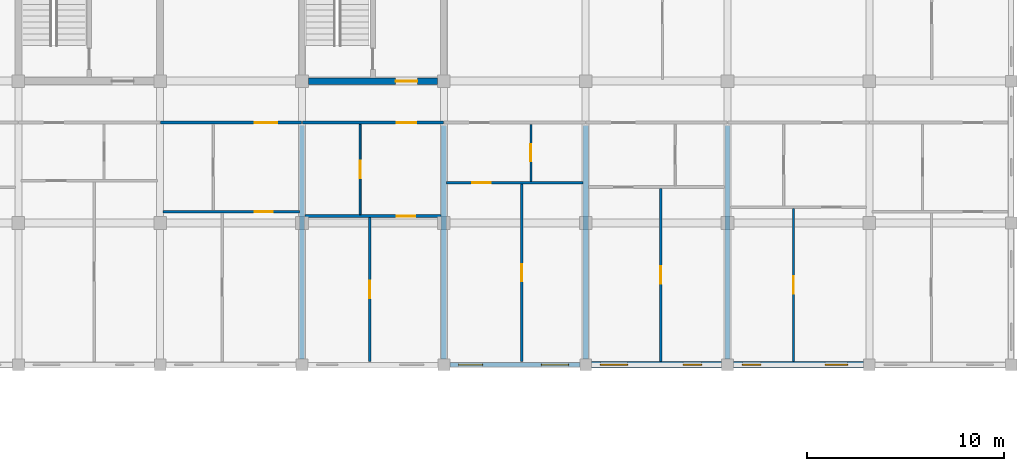
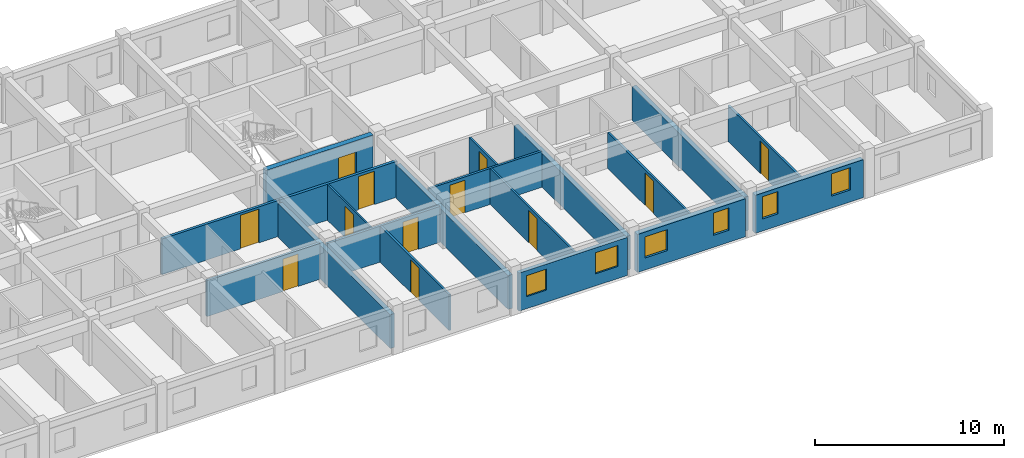
# One storey, part 36 of 50: 19 walls, 12 doors, 6 windows, 18 openings.
"""IFC4 building model written with IfcOpenShell, lengths in metres."""

from ifc_helpers import new_model, si_unit, direction, frame, frame_2d, origin, place, context, subcontext, project, spatial, rectangle, extrude, material, layer, layer_set, type_object, element, fill, save


model = new_model("IFC4")

# Units and contexts
model_context = context("Model", 3, precision=1e-05, world=origin(), true_north=direction((0.0, 1.0)))
body_context = subcontext(model_context, "Body", "Model", "MODEL_VIEW")
ifc_project = project(units=[si_unit("LENGTHUNIT", "METRE"), si_unit("AREAUNIT", "SQUARE_METRE"), si_unit("VOLUMEUNIT", "CUBIC_METRE"), si_unit("PLANEANGLEUNIT", "RADIAN"), si_unit("MASSUNIT", "GRAM", prefix="KILO"), si_unit("THERMODYNAMICTEMPERATUREUNIT", "KELVIN"), si_unit("POWERUNIT", "WATT")], contexts=[model_context])

# Site, building, storey
site_placement = place(None, origin())
site = spatial("IfcSite", under=ifc_project, at=site_placement, CompositionType="ELEMENT")
building_placement = place(site_placement, origin())
building = spatial("IfcBuilding", under=site, at=building_placement, Name="Tavuni Mirador Residences", CompositionType="ELEMENT")
storey_placement = place(building_placement, frame((0.0, 0.0, 4.5)))
storey = spatial("IfcBuildingStorey", under=building, at=storey_placement, Name="L01", CompositionType="ELEMENT", Elevation=4.5)

# Wall, opening, door
ifc_material_1 = material(Name="Precast concrete C40/50", Category="concrete")
ifc_layer_1 = layer(ifc_material_1, 0.320068359375, Name="Precast concrete C40/50", Category="concrete")
ifc_layer_set_1 = layer_set([ifc_layer_1], Name="Precast concrete C40/50")
wall_type_1 = type_object("IfcWallType", Name="WT-COR320", PredefinedType="SHEAR", material=ifc_layer_set_1)
wall_1_placement = place(storey_placement, frame((39.925048828125, 158.39990234375, 0.0), z_axis=(0.0, 0.0, 1.0), x_axis=(1.0, 0.0, 0.0)))
wall_1 = element("IfcWall", 1, at=wall_1_placement, inside=storey, type_object=wall_type_1, Name="CWALL-C6-L01-SS", PredefinedType="SHEAR", context=body_context, shape_type="SweptSolid", body=[
    extrude(rectangle(XDim=6.550048828125, YDim=0.320068359375, at=frame_2d((3.27490234375, 0.0))), origin(), (0.0, 0.0, 1.0), 2.885009765625),
])
opening_1_placement = place(wall_1_placement, frame((4.425048828125, 0.0, 0.0)))
opening_1 = element("IfcOpeningElement", 2, at=opening_1_placement, cuts=wall_1, Name="Opening D-02", PredefinedType="OPENING", context=body_context, shape_type="SweptSolid", body=[
    extrude(rectangle(XDim=1.10009765625, YDim=2.14990234375, at=frame_2d((0.550048828125, 1.074951171875))), frame((0.0, 0.169921875, 0.0), z_axis=(0.0, -1.0, 0.0), x_axis=(1.0, 0.0, 0.0)), (0.0, 0.0, 1.0), 0.340087890625),
])
ifc_material_2 = material(Name="Solid core iroko timber", Category="wood")
door_type_1 = type_object("IfcDoorType", Name="DT-LOB1100", OperationType="NOTDEFINED", PredefinedType="DOOR", material=ifc_material_2)
door_1_placement = place(opening_1_placement, frame((1.10009765625, 0.0, 0.0), z_axis=(0.0, 0.0, 1.0), x_axis=(-1.0, 0.0, 0.0)))
door_1 = element("IfcDoor", 3, at=door_1_placement, inside=storey, type_object=door_type_1, Name="DR-2222", OperationType="SINGLE_SWING_RIGHT", OverallHeight=2.14990234375, OverallWidth=1.10009765625, PredefinedType="DOOR", context=body_context, shape_type="SweptSolid", body=[
    extrude(rectangle(XDim=1.10009765625, YDim=2.14990234375, at=frame_2d((0.550048828125, 1.074951171875))), frame((0.0, 0.02490234375, 0.0), z_axis=(0.0, -1.0, 0.0), x_axis=(1.0, 0.0, 0.0)), (0.0, 0.0, 1.0), 0.050048828125),
])
fill(opening_1, door_1)

ifc_layer_2 = layer(ifc_material_1, 0.1650390625, Name="Precast concrete C40/50", Category="concrete")
ifc_layer_set_2 = layer_set([ifc_layer_2], Name="Precast concrete C40/50")
wall_type_2 = type_object("IfcWallType", Name="WT-CORR165", PredefinedType="PARTITIONING", material=ifc_layer_set_2)
wall_2_placement = place(storey_placement, frame((32.419921875, 156.300048828125, 0.0), z_axis=(0.0, 0.0, 1.0), x_axis=(1.0, 0.0, 0.0)))
wall_2 = element("IfcWall", 4, at=wall_2_placement, inside=storey, type_object=wall_type_2, Name="CORW-BLK-C-L01-0-03", PredefinedType="PARTITIONING", context=body_context, shape_type="SweptSolid", body=[
    extrude(rectangle(XDim=7.16015625, YDim=0.1650390625, at=frame_2d((3.580078125, 0.0))), origin(), (0.0, 0.0, 1.0), 2.320068359375),
])
opening_2_placement = place(wall_2_placement, frame((4.780029296875, 0.0, 0.0)))
opening_2 = element("IfcOpeningElement", 5, at=opening_2_placement, cuts=wall_2, Name="Opening D-20", PredefinedType="OPENING", context=body_context, shape_type="SweptSolid", body=[
    extrude(rectangle(XDim=1.139892578125, YDim=2.179931640625, at=frame_2d((0.56982421875, 1.08984375))), frame((0.0, 0.092529296875, 0.0), z_axis=(0.0, -1.0, 0.0), x_axis=(1.0, 0.0, 0.0)), (0.0, 0.0, 1.0), 0.18505859375),
])
door_type_2 = type_object("IfcDoorType", Name="DT-FD60-1140", OperationType="NOTDEFINED", PredefinedType="DOOR", material=ifc_material_2)
door_2_placement = place(opening_2_placement, origin())
door_2 = element("IfcDoor", 6, at=door_2_placement, inside=storey, type_object=door_type_2, Name="DR-2630", OperationType="SINGLE_SWING_LEFT", OverallHeight=2.179931640625, OverallWidth=1.139892578125, PredefinedType="DOOR", context=body_context, shape_type="SweptSolid", body=[
    extrude(rectangle(XDim=1.139892578125, YDim=2.179931640625, at=frame_2d((0.56982421875, 1.08984375))), frame((0.0, 0.02490234375, 0.0), z_axis=(0.0, -1.0, 0.0), x_axis=(1.0, 0.0, 0.0)), (0.0, 0.0, 1.0), 0.050048828125),
])
fill(opening_2, door_2)

wall_3_placement = place(storey_placement, frame((39.6201171875, 156.300048828125, 0.0), z_axis=(0.0, 0.0, 1.0), x_axis=(1.0, 0.0, 0.0)))
wall_3 = element("IfcWall", 7, at=wall_3_placement, inside=storey, type_object=wall_type_2, Name="CORW-BLK-C-L01-0-04", PredefinedType="PARTITIONING", context=body_context, shape_type="SweptSolid", body=[
    extrude(rectangle(XDim=7.159912109375, YDim=0.1650390625, at=frame_2d((3.580078125, 0.0))), origin(), (0.0, 0.0, 1.0), 2.320068359375),
])
opening_3_placement = place(wall_3_placement, frame((4.780029296875, 0.0, 0.0)))
opening_3 = element("IfcOpeningElement", 8, at=opening_3_placement, cuts=wall_3, Name="Opening D-03", PredefinedType="OPENING", context=body_context, shape_type="SweptSolid", body=[
    extrude(rectangle(XDim=1.0, YDim=2.14990234375, at=frame_2d((0.5, 1.074951171875))), frame((0.0, 0.092529296875, 0.0), z_axis=(0.0, -1.0, 0.0), x_axis=(1.0, 0.0, 0.0)), (0.0, 0.0, 1.0), 0.18505859375),
])
door_type_3 = type_object("IfcDoorType", Name="DT-FD60-1000", OperationType="NOTDEFINED", PredefinedType="DOOR", material=ifc_material_2)
door_3_placement = place(opening_3_placement, origin())
door_3 = element("IfcDoor", 9, at=door_3_placement, inside=storey, type_object=door_type_3, Name="DR-2631", OperationType="SINGLE_SWING_RIGHT", OverallHeight=2.14990234375, OverallWidth=1.0, PredefinedType="DOOR", context=body_context, shape_type="SweptSolid", body=[
    extrude(rectangle(XDim=1.0, YDim=2.14990234375, at=frame_2d((0.5, 1.074951171875))), frame((0.0, 0.02490234375, 0.0), z_axis=(0.0, -1.0, 0.0), x_axis=(1.0, 0.0, 0.0)), (0.0, 0.0, 1.0), 0.050048828125),
])
fill(opening_3, door_3)

# Wall, openings, windows
ifc_layer_3 = layer(ifc_material_1, 0.330078125, Name="Precast concrete C40/50", Category="concrete")
ifc_layer_set_3 = layer_set([ifc_layer_3], Name="Precast concrete C40/50")
wall_type_3 = type_object("IfcWallType", Name="WT-EXT-COR330", PredefinedType="SOLIDWALL", material=ifc_layer_set_3)
wall_4_placement = place(storey_placement, frame((54.300048828125, 144.0, 0.0), z_axis=(0.0, 0.0, 1.0), x_axis=(1.0, 0.0, 0.0)))
wall_4 = element("IfcWall", 10, at=wall_4_placement, inside=storey, type_object=wall_type_3, Name="EW-BLK-C-L01-S06", PredefinedType="SOLIDWALL", context=body_context, shape_type="SweptSolid", body=[
    extrude(rectangle(XDim=6.599853515625, YDim=0.330078125, at=frame_2d((3.2998046875, 0.0))), origin(), (0.0, 0.0, 1.0), 2.455078125),
])
opening_4_placement = place(wall_4_placement, frame((0.449951171875, 0.0, 0.780029296875)))
opening_4 = element("IfcOpeningElement", 11, at=opening_4_placement, cuts=wall_4, Name="Opening WN-23", PredefinedType="OPENING", context=body_context, shape_type="SweptSolid", body=[
    extrude(rectangle(XDim=1.3798828125, YDim=1.360107421875, at=frame_2d((0.68994140625, 0.68017578125))), frame((0.0, 0.175048828125, 0.0), z_axis=(0.0, -1.0, 0.0), x_axis=(1.0, 0.0, 0.0)), (0.0, 0.0, 1.0), 0.35009765625),
])
opening_5_placement = place(wall_4_placement, frame((4.64990234375, 0.0, 0.780029296875)))
opening_5 = element("IfcOpeningElement", 12, at=opening_5_placement, cuts=wall_4, Name="Opening WN-25", PredefinedType="OPENING", context=body_context, shape_type="SweptSolid", body=[
    extrude(rectangle(XDim=0.93994140625, YDim=1.43994140625, at=frame_2d((0.469970703125, 0.719970703125))), frame((0.0, 0.175048828125, 0.0), z_axis=(0.0, -1.0, 0.0), x_axis=(1.0, 0.0, 0.0)), (0.0, 0.0, 1.0), 0.35009765625),
])
ifc_material_3 = material(Name="Laminated solar-control glass", Category="glass")
window_type_1 = type_object("IfcWindowType", Name="WNT-23", PartitioningType="SINGLE_PANEL", PredefinedType="WINDOW", material=ifc_material_3)
window_1_placement = place(opening_4_placement, origin())
window_1 = element("IfcWindow", 13, at=window_1_placement, inside=storey, type_object=window_type_1, Name="WIN-0861", OverallHeight=1.360107421875, OverallWidth=1.3798828125, PartitioningType="SINGLE_PANEL", PredefinedType="WINDOW", context=body_context, shape_type="SweptSolid", body=[
    extrude(rectangle(XDim=1.3798828125, YDim=1.360107421875, at=frame_2d((0.68994140625, 0.68017578125))), frame((0.0, 0.030029296875, 0.0), z_axis=(0.0, -1.0, 0.0), x_axis=(1.0, 0.0, 0.0)), (0.0, 0.0, 1.0), 0.06005859375),
])
fill(opening_4, window_1)
window_type_2 = type_object("IfcWindowType", Name="WNT-25", PartitioningType="SINGLE_PANEL", PredefinedType="WINDOW", material=ifc_material_3)
window_2_placement = place(opening_5_placement, origin())
window_2 = element("IfcWindow", 14, at=window_2_placement, inside=storey, type_object=window_type_2, Name="WIN-0862", OverallHeight=1.43994140625, OverallWidth=0.93994140625, PartitioningType="SINGLE_PANEL", PredefinedType="WINDOW", context=body_context, shape_type="SweptSolid", body=[
    extrude(rectangle(XDim=0.93994140625, YDim=1.43994140625, at=frame_2d((0.469970703125, 0.719970703125))), frame((0.0, 0.030029296875, 0.0), z_axis=(0.0, -1.0, 0.0), x_axis=(1.0, 0.0, 0.0)), (0.0, 0.0, 1.0), 0.06005859375),
])
fill(opening_5, window_2)

ifc_material_4 = material(Name="Sgraffito lime-rendered precast concrete C40/50", Category="concrete")
ifc_layer_4 = layer(ifc_material_4, 0.2451171875, Name="Sgraffito lime-rendered precast concrete C40/50", Category="concrete")
ifc_layer_set_4 = layer_set([ifc_layer_4], Name="Sgraffito lime-rendered precast concrete C40/50")
wall_type_4 = type_object("IfcWallType", Name="WT-EXT-PC245", PredefinedType="SOLIDWALL", material=ifc_layer_set_4)
wall_5_placement = place(storey_placement, frame((47.10009765625, 144.0, 0.0), z_axis=(0.0, 0.0, 1.0), x_axis=(1.0, 0.0, 0.0)))
wall_5 = element("IfcWall", 15, at=wall_5_placement, inside=storey, type_object=wall_type_4, Name="EW-BLK-C-L01-S05", PredefinedType="SOLIDWALL", context=body_context, shape_type="SweptSolid", body=[
    extrude(rectangle(XDim=6.599853515625, YDim=0.2451171875, at=frame_2d((3.2998046875, 0.0))), origin(), (0.0, 0.0, 1.0), 2.455078125),
])
opening_6_placement = place(wall_5_placement, frame((0.449951171875, 0.0, 0.780029296875)))
opening_6 = element("IfcOpeningElement", 16, at=opening_6_placement, cuts=wall_5, Name="Opening WN-21", PredefinedType="OPENING", context=body_context, shape_type="SweptSolid", body=[
    extrude(rectangle(XDim=1.219970703125, YDim=1.360107421875, at=frame_2d((0.60986328125, 0.68017578125))), frame((0.0, 0.132568359375, 0.0), z_axis=(0.0, -1.0, 0.0), x_axis=(1.0, 0.0, 0.0)), (0.0, 0.0, 1.0), 0.26513671875),
])
opening_7_placement = place(wall_5_placement, frame((4.64990234375, 0.0, 0.780029296875)))
opening_7 = element("IfcOpeningElement", 17, at=opening_7_placement, cuts=wall_5, Name="Opening WN-23", PredefinedType="OPENING", context=body_context, shape_type="SweptSolid", body=[
    extrude(rectangle(XDim=1.3798828125, YDim=1.360107421875, at=frame_2d((0.68994140625, 0.68017578125))), frame((0.0, 0.132568359375, 0.0), z_axis=(0.0, -1.0, 0.0), x_axis=(1.0, 0.0, 0.0)), (0.0, 0.0, 1.0), 0.26513671875),
])
window_type_3 = type_object("IfcWindowType", Name="WNT-21", PartitioningType="SINGLE_PANEL", PredefinedType="WINDOW", material=ifc_material_3)
window_3_placement = place(opening_6_placement, origin())
window_3 = element("IfcWindow", 18, at=window_3_placement, inside=storey, type_object=window_type_3, Name="WIN-0859", OverallHeight=1.360107421875, OverallWidth=1.219970703125, PartitioningType="SINGLE_PANEL", PredefinedType="WINDOW", context=body_context, shape_type="SweptSolid", body=[
    extrude(rectangle(XDim=1.219970703125, YDim=1.360107421875, at=frame_2d((0.60986328125, 0.68017578125))), frame((0.0, 0.030029296875, 0.0), z_axis=(0.0, -1.0, 0.0), x_axis=(1.0, 0.0, 0.0)), (0.0, 0.0, 1.0), 0.06005859375),
])
fill(opening_6, window_3)
window_4_placement = place(opening_7_placement, origin())
window_4 = element("IfcWindow", 19, at=window_4_placement, inside=storey, type_object=window_type_1, Name="WIN-0860", OverallHeight=1.360107421875, OverallWidth=1.3798828125, PartitioningType="SINGLE_PANEL", PredefinedType="WINDOW", context=body_context, shape_type="SweptSolid", body=[
    extrude(rectangle(XDim=1.3798828125, YDim=1.360107421875, at=frame_2d((0.68994140625, 0.68017578125))), frame((0.0, 0.030029296875, 0.0), z_axis=(0.0, -1.0, 0.0), x_axis=(1.0, 0.0, 0.0)), (0.0, 0.0, 1.0), 0.06005859375),
])
fill(opening_7, window_4)

ifc_layer_5 = layer(ifc_material_4, 0.31494140625, Name="Sgraffito lime-rendered precast concrete C40/50", Category="concrete")
ifc_layer_set_5 = layer_set([ifc_layer_5], Name="Sgraffito lime-rendered precast concrete C40/50")
wall_type_5 = type_object("IfcWallType", Name="WT-EXT-PC315", PredefinedType="SOLIDWALL", material=ifc_layer_set_5)
wall_6_placement = place(storey_placement, frame((61.5, 144.0, 0.0), z_axis=(0.0, 0.0, 1.0), x_axis=(1.0, 0.0, 0.0)))
wall_6 = element("IfcWall", 20, at=wall_6_placement, inside=storey, type_object=wall_type_5, Name="EW-BLK-C-L01-S07", PredefinedType="SOLIDWALL", context=body_context, shape_type="SweptSolid", body=[
    extrude(rectangle(XDim=6.60009765625, YDim=0.31494140625, at=frame_2d((3.300048828125, 0.0))), origin(), (0.0, 0.0, 1.0), 2.455078125),
])
opening_8_placement = place(wall_6_placement, frame((0.449951171875, 0.0, 0.780029296875)))
opening_8 = element("IfcOpeningElement", 21, at=opening_8_placement, cuts=wall_6, Name="Opening WN-25", PredefinedType="OPENING", context=body_context, shape_type="SweptSolid", body=[
    extrude(rectangle(XDim=0.93994140625, YDim=1.43994140625, at=frame_2d((0.469970703125, 0.719970703125))), frame((0.0, 0.16748046875, 0.0), z_axis=(0.0, -1.0, 0.0), x_axis=(1.0, 0.0, 0.0)), (0.0, 0.0, 1.0), 0.3349609375),
])
opening_9_placement = place(wall_6_placement, frame((4.64990234375, 0.0, 0.780029296875)))
opening_9 = element("IfcOpeningElement", 22, at=opening_9_placement, cuts=wall_6, Name="Opening WN-27", PredefinedType="OPENING", context=body_context, shape_type="SweptSolid", body=[
    extrude(rectangle(XDim=1.14990234375, YDim=1.43994140625, at=frame_2d((0.574951171875, 0.719970703125))), frame((0.0, 0.16748046875, 0.0), z_axis=(0.0, -1.0, 0.0), x_axis=(1.0, 0.0, 0.0)), (0.0, 0.0, 1.0), 0.3349609375),
])
window_5_placement = place(opening_8_placement, origin())
window_5 = element("IfcWindow", 23, at=window_5_placement, inside=storey, type_object=window_type_2, Name="WIN-0863", OverallHeight=1.43994140625, OverallWidth=0.93994140625, PartitioningType="SINGLE_PANEL", PredefinedType="WINDOW", context=body_context, shape_type="SweptSolid", body=[
    extrude(rectangle(XDim=0.93994140625, YDim=1.43994140625, at=frame_2d((0.469970703125, 0.719970703125))), frame((0.0, 0.030029296875, 0.0), z_axis=(0.0, -1.0, 0.0), x_axis=(1.0, 0.0, 0.0)), (0.0, 0.0, 1.0), 0.06005859375),
])
fill(opening_8, window_5)
window_type_4 = type_object("IfcWindowType", Name="WNT-27", PartitioningType="SINGLE_PANEL", PredefinedType="WINDOW", material=ifc_material_3)
window_6_placement = place(opening_9_placement, origin())
window_6 = element("IfcWindow", 24, at=window_6_placement, inside=storey, type_object=window_type_4, Name="WIN-0864", OverallHeight=1.43994140625, OverallWidth=1.14990234375, PartitioningType="SINGLE_PANEL", PredefinedType="WINDOW", context=body_context, shape_type="SweptSolid", body=[
    extrude(rectangle(XDim=1.14990234375, YDim=1.43994140625, at=frame_2d((0.574951171875, 0.719970703125))), frame((0.0, 0.030029296875, 0.0), z_axis=(0.0, -1.0, 0.0), x_axis=(1.0, 0.0, 0.0)), (0.0, 0.0, 1.0), 0.06005859375),
])
fill(opening_9, window_6)

# Wall, opening, door
ifc_material_5 = material(Name="Acoustic gypsum and concrete block partition", Category="concrete")
ifc_layer_6 = layer(ifc_material_5, 0.094970703125, Name="Acoustic gypsum and concrete block partition", Category="concrete")
ifc_layer_set_6 = layer_set([ifc_layer_6], Name="Acoustic gypsum and concrete block partition")
wall_type_6 = type_object("IfcWallType", Name="WT-PART095", PredefinedType="PARTITIONING", material=ifc_layer_set_6)
wall_7_placement = place(storey_placement, frame((42.550048828125, 151.6201171875, 0.0), z_axis=(0.0, 0.0, 1.0), x_axis=(0.0, 1.0, 0.0)))
wall_7 = element("IfcWall", 25, at=wall_7_placement, inside=storey, type_object=wall_type_6, Name="PW-BLK-C-L01-S04-IN1", PredefinedType="PARTITIONING", context=body_context, shape_type="SweptSolid", body=[
    extrude(rectangle(XDim=4.58984375, YDim=0.094970703125, at=frame_2d((2.294921875, 0.0))), origin(), (0.0, 0.0, 1.0), 2.320068359375),
])
opening_10_placement = place(wall_7_placement, frame((1.844970703125, 0.0, 0.0)))
opening_10 = element("IfcOpeningElement", 26, at=opening_10_placement, cuts=wall_7, Name="Opening D-09", PredefinedType="OPENING", context=body_context, shape_type="SweptSolid", body=[
    extrude(rectangle(XDim=0.89990234375, YDim=2.050048828125, at=frame_2d((0.449951171875, 1.02490234375))), frame((0.0, 0.0576171875, 0.0), z_axis=(0.0, -1.0, 0.0), x_axis=(1.0, 0.0, 0.0)), (0.0, 0.0, 1.0), 0.114990234375),
])
door_type_4 = type_object("IfcDoorType", Name="DT-WC900", OperationType="NOTDEFINED", PredefinedType="DOOR", material=ifc_material_2)
door_4_placement = place(opening_10_placement, origin())
door_4 = element("IfcDoor", 27, at=door_4_placement, inside=storey, type_object=door_type_4, Name="DR-3709", OperationType="SINGLE_SWING_LEFT", OverallHeight=2.050048828125, OverallWidth=0.89990234375, PredefinedType="DOOR", context=body_context, shape_type="SweptSolid", body=[
    extrude(rectangle(XDim=0.89990234375, YDim=2.050048828125, at=frame_2d((0.449951171875, 1.02490234375))), frame((0.0, 0.02490234375, 0.0), z_axis=(0.0, -1.0, 0.0), x_axis=(1.0, 0.0, 0.0)), (0.0, 0.0, 1.0), 0.050048828125),
])
fill(opening_10, door_4)

ifc_layer_7 = layer(ifc_material_5, 0.10498046875, Name="Acoustic gypsum and concrete block partition", Category="concrete")
ifc_layer_set_7 = layer_set([ifc_layer_7], Name="Acoustic gypsum and concrete block partition")
wall_type_7 = type_object("IfcWallType", Name="WT-PART105", PredefinedType="PARTITIONING", material=ifc_layer_set_7)
wall_8_placement = place(storey_placement, frame((51.219970703125, 153.31005859375, 0.0), z_axis=(0.0, 0.0, 1.0), x_axis=(0.0, 1.0, 0.0)))
wall_8 = element("IfcWall", 28, at=wall_8_placement, inside=storey, type_object=wall_type_7, Name="PW-BLK-C-L01-S05-IN1", PredefinedType="PARTITIONING", context=body_context, shape_type="SweptSolid", body=[
    extrude(rectangle(XDim=2.89990234375, YDim=0.10498046875, at=frame_2d((1.449951171875, 0.0))), origin(), (0.0, 0.0, 1.0), 2.320068359375),
])
opening_11_placement = place(wall_8_placement, frame((1.014892578125, 0.0, 0.0)))
opening_11 = element("IfcOpeningElement", 29, at=opening_11_placement, cuts=wall_8, Name="Opening D-10", PredefinedType="OPENING", context=body_context, shape_type="SweptSolid", body=[
    extrude(rectangle(XDim=0.8701171875, YDim=2.050048828125, at=frame_2d((0.43505859375, 1.02490234375))), frame((0.0, 0.0625, 0.0), z_axis=(0.0, -1.0, 0.0), x_axis=(1.0, 0.0, 0.0)), (0.0, 0.0, 1.0), 0.125),
])
door_type_5 = type_object("IfcDoorType", Name="DT-WC870", OperationType="NOTDEFINED", PredefinedType="DOOR", material=ifc_material_2)
door_5_placement = place(opening_11_placement, origin())
door_5 = element("IfcDoor", 30, at=door_5_placement, inside=storey, type_object=door_type_5, Name="DR-3714", OperationType="SINGLE_SWING_RIGHT", OverallHeight=2.050048828125, OverallWidth=0.8701171875, PredefinedType="DOOR", context=body_context, shape_type="SweptSolid", body=[
    extrude(rectangle(XDim=0.8701171875, YDim=2.050048828125, at=frame_2d((0.43505859375, 1.02490234375))), frame((0.0, 0.02490234375, 0.0), z_axis=(0.0, -1.0, 0.0), x_axis=(1.0, 0.0, 0.0)), (0.0, 0.0, 1.0), 0.050048828125),
])
fill(opening_11, door_5)

ifc_layer_8 = layer(ifc_material_5, 0.114990234375, Name="Acoustic gypsum and concrete block partition", Category="concrete")
ifc_layer_set_8 = layer_set([ifc_layer_8], Name="Acoustic gypsum and concrete block partition")
wall_type_8 = type_object("IfcWallType", Name="WT-PART115", PredefinedType="PARTITIONING", material=ifc_layer_set_8)
wall_9_placement = place(storey_placement, frame((50.75, 144.175048828125, 0.0), z_axis=(0.0, 0.0, 1.0), x_axis=(0.0, 1.0, 0.0)))
wall_9 = element("IfcWall", 31, at=wall_9_placement, inside=storey, type_object=wall_type_8, Name="PW-BLK-C-L01-S05-OUT", PredefinedType="PARTITIONING", context=body_context, shape_type="SweptSolid", body=[
    extrude(rectangle(XDim=8.994873046875, YDim=0.114990234375, at=frame_2d((4.49755859375, 0.0))), origin(), (0.0, 0.0, 1.0), 2.320068359375),
])
opening_12_placement = place(wall_9_placement, frame((4.0576171875, 0.0, 0.0)))
opening_12 = element("IfcOpeningElement", 32, at=opening_12_placement, cuts=wall_9, Name="Opening D-08", PredefinedType="OPENING", context=body_context, shape_type="SweptSolid", body=[
    extrude(rectangle(XDim=0.8798828125, YDim=2.080078125, at=frame_2d((0.43994140625, 1.0400390625))), frame((0.0, 0.0673828125, 0.0), z_axis=(0.0, -1.0, 0.0), x_axis=(1.0, 0.0, 0.0)), (0.0, 0.0, 1.0), 0.135009765625),
])
door_type_6 = type_object("IfcDoorType", Name="DT-BED880", OperationType="NOTDEFINED", PredefinedType="DOOR", material=ifc_material_2)
door_6_placement = place(opening_12_placement, origin())
door_6 = element("IfcDoor", 33, at=door_6_placement, inside=storey, type_object=door_type_6, Name="DR-3713", OperationType="SINGLE_SWING_LEFT", OverallHeight=2.080078125, OverallWidth=0.8798828125, PredefinedType="DOOR", context=body_context, shape_type="SweptSolid", body=[
    extrude(rectangle(XDim=0.8798828125, YDim=2.080078125, at=frame_2d((0.43994140625, 1.0400390625))), frame((0.0, 0.02490234375, 0.0), z_axis=(0.0, -1.0, 0.0), x_axis=(1.0, 0.0, 0.0)), (0.0, 0.0, 1.0), 0.050048828125),
])
fill(opening_12, door_6)

ifc_layer_9 = layer(ifc_material_5, 0.125, Name="Acoustic gypsum and concrete block partition", Category="concrete")
ifc_layer_set_9 = layer_set([ifc_layer_9], Name="Acoustic gypsum and concrete block partition")
wall_type_9 = type_object("IfcWallType", Name="WT-PART125", PredefinedType="PARTITIONING", material=ifc_layer_set_9)
wall_10_placement = place(storey_placement, frame((43.050048828125, 144.175048828125, 0.0), z_axis=(0.0, 0.0, 1.0), x_axis=(0.0, 1.0, 0.0)))
wall_10 = element("IfcWall", 34, at=wall_10_placement, inside=storey, type_object=wall_type_9, Name="PW-BLK-C-L01-S04-OUT", PredefinedType="PARTITIONING", context=body_context, shape_type="SweptSolid", body=[
    extrude(rectangle(XDim=7.304931640625, YDim=0.125, at=frame_2d((3.65234375, 0.0))), origin(), (0.0, 0.0, 1.0), 2.320068359375),
])
opening_13_placement = place(wall_10_placement, frame((3.202392578125, 0.0, 0.0)))
opening_13 = element("IfcOpeningElement", 35, at=opening_13_placement, cuts=wall_10, Name="Opening D-07", PredefinedType="OPENING", context=body_context, shape_type="SweptSolid", body=[
    extrude(rectangle(XDim=0.89990234375, YDim=2.10009765625, at=frame_2d((0.449951171875, 1.050048828125))), frame((0.0, 0.072509765625, 0.0), z_axis=(0.0, -1.0, 0.0), x_axis=(1.0, 0.0, 0.0)), (0.0, 0.0, 1.0), 0.14501953125),
])
door_type_7 = type_object("IfcDoorType", Name="DT-BED900", OperationType="NOTDEFINED", PredefinedType="DOOR", material=ifc_material_2)
door_7_placement = place(opening_13_placement, origin())
door_7 = element("IfcDoor", 36, at=door_7_placement, inside=storey, type_object=door_type_7, Name="DR-3708", OperationType="SINGLE_SWING_RIGHT", OverallHeight=2.10009765625, OverallWidth=0.89990234375, PredefinedType="DOOR", context=body_context, shape_type="SweptSolid", body=[
    extrude(rectangle(XDim=0.89990234375, YDim=2.10009765625, at=frame_2d((0.449951171875, 1.050048828125))), frame((0.0, 0.02490234375, 0.0), z_axis=(0.0, -1.0, 0.0), x_axis=(1.0, 0.0, 0.0)), (0.0, 0.0, 1.0), 0.050048828125),
])
fill(opening_13, door_7)

wall_11_placement = place(storey_placement, frame((57.800048828125, 144.175048828125, 0.0), z_axis=(0.0, 0.0, 1.0), x_axis=(0.0, 1.0, 0.0)))
wall_11 = element("IfcWall", 37, at=wall_11_placement, inside=storey, type_object=wall_type_9, Name="PW-BLK-C-L01-S06-OUT", PredefinedType="PARTITIONING", context=body_context, shape_type="SweptSolid", body=[
    extrude(rectangle(XDim=8.77490234375, YDim=0.125, at=frame_2d((4.387451171875, 0.0))), origin(), (0.0, 0.0, 1.0), 2.320068359375),
])
opening_14_placement = place(wall_11_placement, frame((3.9375, 0.0, 0.0)))
opening_14 = element("IfcOpeningElement", 38, at=opening_14_placement, cuts=wall_11, Name="Opening D-07", PredefinedType="OPENING", context=body_context, shape_type="SweptSolid", body=[
    extrude(rectangle(XDim=0.89990234375, YDim=2.10009765625, at=frame_2d((0.449951171875, 1.050048828125))), frame((0.0, 0.072509765625, 0.0), z_axis=(0.0, -1.0, 0.0), x_axis=(1.0, 0.0, 0.0)), (0.0, 0.0, 1.0), 0.14501953125),
])
door_8_placement = place(opening_14_placement, origin())
door_8 = element("IfcDoor", 39, at=door_8_placement, inside=storey, type_object=door_type_7, Name="DR-3720", OperationType="SINGLE_SWING_RIGHT", OverallHeight=2.10009765625, OverallWidth=0.89990234375, PredefinedType="DOOR", context=body_context, shape_type="SweptSolid", body=[
    extrude(rectangle(XDim=0.89990234375, YDim=2.10009765625, at=frame_2d((0.449951171875, 1.050048828125))), frame((0.0, 0.02490234375, 0.0), z_axis=(0.0, -1.0, 0.0), x_axis=(1.0, 0.0, 0.0)), (0.0, 0.0, 1.0), 0.050048828125),
])
fill(opening_14, door_8)

wall_12_placement = place(storey_placement, frame((64.550048828125, 144.175048828125, 0.0), z_axis=(0.0, 0.0, 1.0), x_axis=(0.0, 1.0, 0.0)))
wall_12 = element("IfcWall", 40, at=wall_12_placement, inside=storey, type_object=wall_type_9, Name="PW-BLK-C-L01-S07-OUT", PredefinedType="PARTITIONING", context=body_context, shape_type="SweptSolid", body=[
    extrude(rectangle(XDim=7.7548828125, YDim=0.125, at=frame_2d((3.87744140625, 0.0))), origin(), (0.0, 0.0, 1.0), 2.320068359375),
])
opening_15_placement = place(wall_12_placement, frame((3.427490234375, 0.0, 0.0)))
opening_15 = element("IfcOpeningElement", 41, at=opening_15_placement, cuts=wall_12, Name="Opening D-07", PredefinedType="OPENING", context=body_context, shape_type="SweptSolid", body=[
    extrude(rectangle(XDim=0.89990234375, YDim=2.10009765625, at=frame_2d((0.449951171875, 1.050048828125))), frame((0.0, 0.072509765625, 0.0), z_axis=(0.0, -1.0, 0.0), x_axis=(1.0, 0.0, 0.0)), (0.0, 0.0, 1.0), 0.14501953125),
])
door_9_placement = place(opening_15_placement, origin())
door_9 = element("IfcDoor", 42, at=door_9_placement, inside=storey, type_object=door_type_7, Name="DR-3726", OperationType="SINGLE_SWING_RIGHT", OverallHeight=2.10009765625, OverallWidth=0.89990234375, PredefinedType="DOOR", context=body_context, shape_type="SweptSolid", body=[
    extrude(rectangle(XDim=0.89990234375, YDim=2.10009765625, at=frame_2d((0.449951171875, 1.050048828125))), frame((0.0, 0.02490234375, 0.0), z_axis=(0.0, -1.0, 0.0), x_axis=(1.0, 0.0, 0.0)), (0.0, 0.0, 1.0), 0.050048828125),
])
fill(opening_15, door_9)

ifc_layer_10 = layer(ifc_material_5, 0.139892578125, Name="Acoustic gypsum and concrete block partition", Category="concrete")
ifc_layer_set_10 = layer_set([ifc_layer_10], Name="Acoustic gypsum and concrete block partition")
wall_type_10 = type_object("IfcWallType", Name="WT-PART140", PredefinedType="PARTITIONING", material=ifc_layer_set_10)
wall_13_placement = place(storey_placement, frame((46.93994140625, 153.239990234375, 0.0), z_axis=(0.0, 0.0, 1.0), x_axis=(1.0, 0.0, 0.0)))
wall_13 = element("IfcWall", 43, at=wall_13_placement, inside=storey, type_object=wall_type_10, Name="PW-BLK-C-L01-S05-MID", PredefinedType="PARTITIONING", context=body_context, shape_type="SweptSolid", body=[
    extrude(rectangle(XDim=6.920166015625, YDim=0.139892578125, at=frame_2d((3.4599609375, 0.0))), origin(), (0.0, 0.0, 1.0), 2.320068359375),
])
opening_16_placement = place(wall_13_placement, frame((1.31005859375, 0.0, 0.0)))
opening_16 = element("IfcOpeningElement", 44, at=opening_16_placement, cuts=wall_13, Name="Opening D-06", PredefinedType="OPENING", context=body_context, shape_type="SweptSolid", body=[
    extrude(rectangle(XDim=0.919921875, YDim=2.10009765625, at=frame_2d((0.4599609375, 1.050048828125))), frame((0.0, 0.080078125, 0.0), z_axis=(0.0, -1.0, 0.0), x_axis=(1.0, 0.0, 0.0)), (0.0, 0.0, 1.0), 0.159912109375),
])
door_type_8 = type_object("IfcDoorType", Name="DT-INT920", OperationType="NOTDEFINED", PredefinedType="DOOR", material=ifc_material_2)
door_10_placement = place(opening_16_placement, origin())
door_10 = element("IfcDoor", 45, at=door_10_placement, inside=storey, type_object=door_type_8, Name="DR-3715", OperationType="SINGLE_SWING_RIGHT", OverallHeight=2.10009765625, OverallWidth=0.919921875, PredefinedType="DOOR", context=body_context, shape_type="SweptSolid", body=[
    extrude(rectangle(XDim=0.919921875, YDim=2.10009765625, at=frame_2d((0.4599609375, 1.050048828125))), frame((0.0, 0.02490234375, 0.0), z_axis=(0.0, -1.0, 0.0), x_axis=(1.0, 0.0, 0.0)), (0.0, 0.0, 1.0), 0.050048828125),
])
fill(opening_16, door_10)

ifc_layer_11 = layer(ifc_material_5, 0.14990234375, Name="Acoustic gypsum and concrete block partition", Category="concrete")
ifc_layer_set_11 = layer_set([ifc_layer_11], Name="Acoustic gypsum and concrete block partition")
wall_type_11 = type_object("IfcWallType", Name="WT-PART150", PredefinedType="PARTITIONING", material=ifc_layer_set_11)
wall_14_placement = place(storey_placement, frame((32.5400390625, 151.77001953125, 0.0), z_axis=(0.0, 0.0, 1.0), x_axis=(1.0, 0.0, 0.0)))
wall_14 = element("IfcWall", 46, at=wall_14_placement, inside=storey, type_object=wall_type_11, Name="PW-BLK-C-L01-S03-MID", PredefinedType="PARTITIONING", context=body_context, shape_type="SweptSolid", body=[
    extrude(rectangle(XDim=6.919921875, YDim=0.14990234375, at=frame_2d((3.4599609375, 0.0))), origin(), (0.0, 0.0, 1.0), 2.320068359375),
])
opening_17_placement = place(wall_14_placement, frame((4.659912109375, 0.0, 0.0)))
opening_17 = element("IfcOpeningElement", 47, at=opening_17_placement, cuts=wall_14, Name="Opening D-06", PredefinedType="OPENING", context=body_context, shape_type="SweptSolid", body=[
    extrude(rectangle(XDim=0.919921875, YDim=2.10009765625, at=frame_2d((0.4599609375, 1.050048828125))), frame((0.0, 0.0849609375, 0.0), z_axis=(0.0, -1.0, 0.0), x_axis=(1.0, 0.0, 0.0)), (0.0, 0.0, 1.0), 0.169921875),
])
door_11_placement = place(opening_17_placement, origin())
door_11 = element("IfcDoor", 48, at=door_11_placement, inside=storey, type_object=door_type_8, Name="DR-3704", OperationType="SINGLE_SWING_RIGHT", OverallHeight=2.10009765625, OverallWidth=0.919921875, PredefinedType="DOOR", context=body_context, shape_type="SweptSolid", body=[
    extrude(rectangle(XDim=0.919921875, YDim=2.10009765625, at=frame_2d((0.4599609375, 1.050048828125))), frame((0.0, 0.02490234375, 0.0), z_axis=(0.0, -1.0, 0.0), x_axis=(1.0, 0.0, 0.0)), (0.0, 0.0, 1.0), 0.050048828125),
])
fill(opening_17, door_11)

wall_15_placement = place(storey_placement, frame((39.739990234375, 151.550048828125, 0.0), z_axis=(0.0, 0.0, 1.0), x_axis=(1.0, 0.0, 0.0)))
wall_15 = element("IfcWall", 49, at=wall_15_placement, inside=storey, type_object=wall_type_11, Name="PW-BLK-C-L01-S04-MID", PredefinedType="PARTITIONING", context=body_context, shape_type="SweptSolid", body=[
    extrude(rectangle(XDim=6.919921875, YDim=0.14990234375, at=frame_2d((3.4599609375, 0.0))), origin(), (0.0, 0.0, 1.0), 2.320068359375),
])
opening_18_placement = place(wall_15_placement, frame((4.659912109375, 0.0, 0.0)))
opening_18 = element("IfcOpeningElement", 50, at=opening_18_placement, cuts=wall_15, Name="Opening D-05", PredefinedType="OPENING", context=body_context, shape_type="SweptSolid", body=[
    extrude(rectangle(XDim=0.949951171875, YDim=2.10009765625, at=frame_2d((0.47509765625, 1.050048828125))), frame((0.0, 0.0849609375, 0.0), z_axis=(0.0, -1.0, 0.0), x_axis=(1.0, 0.0, 0.0)), (0.0, 0.0, 1.0), 0.169921875),
])
door_type_9 = type_object("IfcDoorType", Name="DT-INT950", OperationType="NOTDEFINED", PredefinedType="DOOR", material=ifc_material_2)
door_12_placement = place(opening_18_placement, origin())
door_12 = element("IfcDoor", 51, at=door_12_placement, inside=storey, type_object=door_type_9, Name="DR-3710", OperationType="SINGLE_SWING_LEFT", OverallHeight=2.10009765625, OverallWidth=0.949951171875, PredefinedType="DOOR", context=body_context, shape_type="SweptSolid", body=[
    extrude(rectangle(XDim=0.949951171875, YDim=2.10009765625, at=frame_2d((0.47509765625, 1.050048828125))), frame((0.0, 0.02490234375, 0.0), z_axis=(0.0, -1.0, 0.0), x_axis=(1.0, 0.0, 0.0)), (0.0, 0.0, 1.0), 0.050048828125),
])
fill(opening_18, door_12)

# Walls
ifc_layer_12 = layer(ifc_material_1, 0.264892578125, Name="Precast concrete C40/50", Category="concrete")
ifc_layer_set_12 = layer_set([ifc_layer_12], Name="Precast concrete C40/50")
wall_type_12 = type_object("IfcWallType", Name="WT-XW265", PredefinedType="SOLIDWALL", material=ifc_layer_set_12)
for number, where, z_axis, x_axis, name in (
    (52, (39.60009765625, 144.300048828125, 0.0), (0.0, 0.0, 1.0), (0.0, 1.0, 0.0), "XW-BLK-C-L01-S-04"),
    (53, (46.800048828125, 144.300048828125, 0.0), (0.0, 0.0, 1.0), (0.0, 1.0, 0.0), "XW-BLK-C-L01-S-05"),
    (54, (54.0, 144.300048828125, 0.0), (0.0, 0.0, 1.0), (0.0, 1.0, 0.0), "XW-BLK-C-L01-S-06"),
    (55, (61.199951171875, 144.300048828125, 0.0), (0.0, 0.0, 1.0), (0.0, 1.0, 0.0), "XW-BLK-C-L01-S-07"),
):
    element("IfcWall", number, at=place(storey_placement, frame(where, z_axis=z_axis, x_axis=x_axis)), inside=storey, type_object=wall_type_12, Name=name, PredefinedType="SOLIDWALL", context=body_context, shape_type="SweptSolid", body=[
        extrude(rectangle(XDim=11.849853515625, YDim=0.264892578125, at=frame_2d((5.9248046875, 0.0))), origin(), (0.0, 0.0, 1.0), 2.18505859375),
    ])

save(model, "model.ifc")
